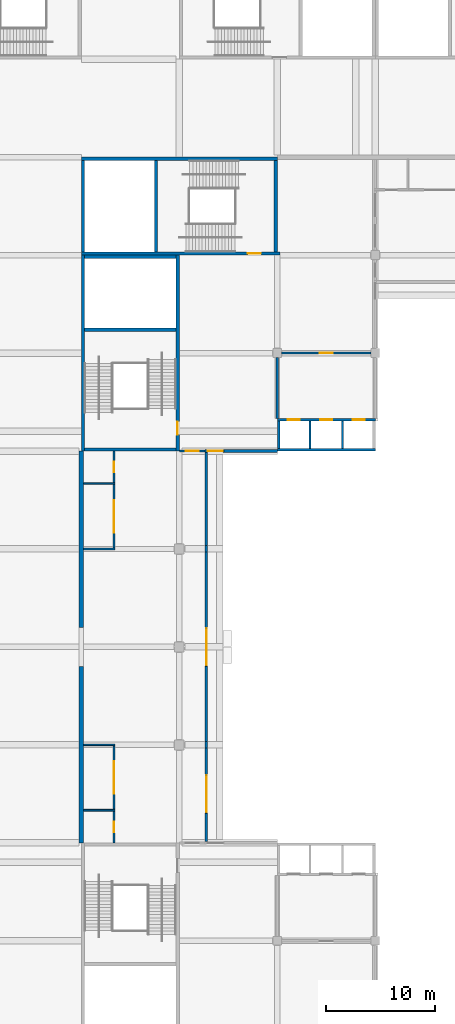
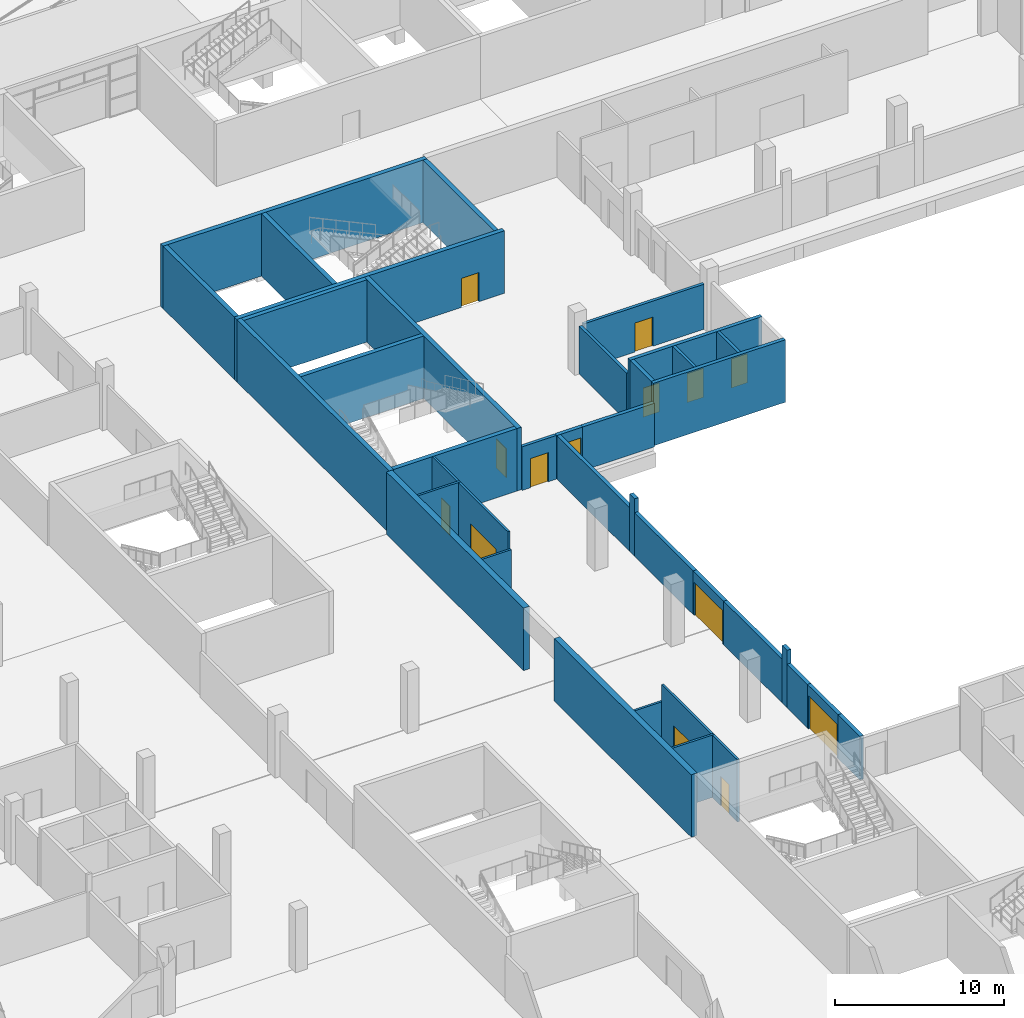
# One storey, part 97 of 168: 39 walls, 14 doors, 14 openings.
"""IFC4 building model written with IfcOpenShell, lengths in metres."""

import ifcopenshell
import ifcopenshell.guid

model = None  # the IFC model being written
_history = None  # IfcOwnerHistory: only IFC2X3 demands one
_inside = {}  # id of a spatial element -> (the spatial element, [elements in it])
_under = {}  # id of a project, library or spatial element -> (it, [spatial elements below it])
_declared = {}  # id of a project -> (the project, [libraries it declares])
_typed = {}  # id of a type object -> (the type object, [elements of that type])
_made_of = {}  # id of a material, layer set ... -> (it, [elements and type objects made of it])


def new_model(schema):
    """Start an empty IFC model of exactly this schema.

    Asked for "IFC4X3", IfcOpenShell would pick the latest addendum, in which some entities
    have other attributes; the version numbers below select the first issue.
    IFC2X3 requires an IfcOwnerHistory on every rooted entity: one is made here for all.
    """
    global model, _history
    if schema == "IFC4X3":
        model = ifcopenshell.file(schema_version=(4, 3, 0, 0))
    else:
        model = ifcopenshell.file(schema=schema)
    _inside.clear()
    _under.clear()
    _declared.clear()
    _typed.clear()
    _made_of.clear()
    _history = None
    if model.schema == "IFC2X3":
        org = make("IfcOrganization", Name="unknown")
        user = make(
            "IfcPersonAndOrganization",
            ThePerson=make("IfcPerson", FamilyName="unknown"),
            TheOrganization=org,
        )
        app = make(
            "IfcApplication",
            ApplicationDeveloper=org,
            Version="unknown",
            ApplicationFullName="unknown",
            ApplicationIdentifier="unknown",
        )
        _history = make(
            "IfcOwnerHistory",
            OwningUser=user,
            OwningApplication=app,
            ChangeAction="ADDED",
            CreationDate=0,
        )
    return model


def make(cls, **values):
    """One entity of the class cls with the attributes given. An attribute that is None is left unset."""
    return model.create_entity(
        cls, **{name: value for name, value in values.items() if value is not None}
    )


def rooted(cls, **values):
    """An entity with a GlobalId (a new one), such as an element, a storey or a relation."""
    return make(cls, GlobalId=ifcopenshell.guid.new(), OwnerHistory=_history, **values)


def si_unit(unit_type, name, prefix=None):
    """IfcSIUnit, for example si_unit("LENGTHUNIT", "METRE", prefix="MILLI")."""
    return make("IfcSIUnit", UnitType=unit_type, Prefix=prefix, Name=name)


def assignment(units):
    """IfcUnitAssignment: the units of a project."""
    return None if units is None else make("IfcUnitAssignment", Units=units)


def point(xyz):
    """IfcCartesianPoint."""
    return None if xyz is None else make("IfcCartesianPoint", Coordinates=xyz)


def direction(xyz):
    """IfcDirection."""
    return None if xyz is None else make("IfcDirection", DirectionRatios=xyz)


def frame(location, z_axis=None, x_axis=None):
    """IfcAxis2Placement3D, a coordinate frame: its origin and axes. An axis left out is left unset."""
    return make(
        "IfcAxis2Placement3D",
        Location=point(location),
        Axis=direction(z_axis),
        RefDirection=direction(x_axis),
    )


def frame_2d(location, x_axis=None):
    """IfcAxis2Placement2D, a coordinate frame in the plane: its origin and x axis."""
    return make(
        "IfcAxis2Placement2D", Location=point(location), RefDirection=direction(x_axis)
    )


def origin():
    """The frame at (0, 0, 0) with its axes left unset."""
    return frame((0.0, 0.0, 0.0))


def place(relative_to, where):
    """IfcLocalPlacement: puts the frame where relative to a parent placement (None: the world)."""
    return make(
        "IfcLocalPlacement", PlacementRelTo=relative_to, RelativePlacement=where
    )


def context(
    kind, dimensions, precision=None, world=None, true_north=None, identifier=None
):
    """IfcGeometricRepresentationContext, for example the 3D "Model" context."""
    return make(
        "IfcGeometricRepresentationContext",
        ContextIdentifier=identifier,
        ContextType=kind,
        CoordinateSpaceDimension=dimensions,
        Precision=precision,
        WorldCoordinateSystem=world,
        TrueNorth=true_north,
    )


def subcontext(parent, identifier, kind, view, scale=None):
    """IfcGeometricRepresentationSubContext, for example "Body" below "Model"."""
    return make(
        "IfcGeometricRepresentationSubContext",
        ContextIdentifier=identifier,
        ContextType=kind,
        ParentContext=parent,
        TargetScale=scale,
        TargetView=view,
    )


def project(units=None, contexts=None):
    """IfcProject with its units and contexts."""
    return rooted(
        "IfcProject",
        Name="project",
        RepresentationContexts=contexts,
        UnitsInContext=assignment(units),
    )


def spatial(cls, under=None, at=None, **own):
    """A site, building, storey or space (cls), placed at a placement, below another one or the project."""
    s = rooted(cls, ObjectPlacement=at, **own)
    if under is not None:
        _under.setdefault(under.id(), (under, []))[1].append(s)
    return s


def profile(cls, at=None, kind="AREA", **sizes):
    """A parametric profile (cls). Its sizes go by their IFC names, for example OverallWidth=200.0."""
    return make(cls, ProfileType=kind, Position=at, **sizes)


def rectangle(**sizes):
    """IfcRectangleProfileDef."""
    return profile("IfcRectangleProfileDef", **sizes)


def extrude(swept, where, along, depth):
    """IfcExtrudedAreaSolid: the profile swept, set in the frame where, extruded along a direction by depth."""
    return make(
        "IfcExtrudedAreaSolid",
        SweptArea=swept,
        Position=where,
        ExtrudedDirection=direction(along),
        Depth=depth,
    )


def shape(context_of_items, identifier, shape_type, items):
    """IfcShapeRepresentation: the items that make up one representation, for example the "Body"."""
    return make(
        "IfcShapeRepresentation",
        ContextOfItems=context_of_items,
        RepresentationIdentifier=identifier,
        RepresentationType=shape_type,
        Items=items,
    )


def material(Name=None, Category=None):
    """IfcMaterial."""
    return make("IfcMaterial", Name=Name, Category=Category)


def layer(
    of_material, thickness, ventilated=None, Name=None, Category=None, Priority=None
):
    """IfcMaterialLayer: one layer of a wall or slab, of a material (None: an air gap)."""
    return make(
        "IfcMaterialLayer",
        Material=of_material,
        LayerThickness=thickness,
        IsVentilated=ventilated,
        Name=Name,
        Category=Category,
        Priority=Priority,
    )


def layer_set(layers, Name=None):
    """IfcMaterialLayerSet."""
    return make("IfcMaterialLayerSet", MaterialLayers=layers, LayerSetName=Name)


def made_of(thing, what):
    """Note that an element or type object is made of a material, layer set ...; save() writes the relation."""
    if what is not None:
        _made_of.setdefault(what.id(), (what, []))[1].append(thing)
    return thing


def type_object(cls, material=None, **own):
    """A type object (cls), such as IfcWallType, which elements share."""
    return made_of(rooted(cls, **own), material)


def element(
    cls,
    number,
    at=None,
    inside=None,
    cuts=None,
    type_object=None,
    material=None,
    context=None,
    identifier="Body",
    shape_type=None,
    held_by="IfcProductDefinitionShape",
    body=None,
    shapes=None,
    **own,
):
    """One element of the class cls, such as IfcWall. Its Tag is "e" and its number.

    at: its placement. inside: the storey or other place that contains it. cuts: it is an
    opening in that element (IfcRelVoidsElement). A single representation is given by context,
    identifier, shape_type and body (its items); several are given by shapes. held_by: the class
    of the entity that holds the representations. save() writes the other relations.
    """
    e = rooted(cls, Tag="e%d" % number, ObjectPlacement=at, **own)
    if body is not None:
        shapes = [shape(context, identifier, shape_type, body)]
    if shapes is not None:
        e.Representation = make(held_by, Representations=shapes)
    if inside is not None:
        _inside.setdefault(inside.id(), (inside, []))[1].append(e)
    if cuts is not None:
        rooted(
            "IfcRelVoidsElement", RelatingBuildingElement=cuts, RelatedOpeningElement=e
        )
    if type_object is not None:
        _typed.setdefault(type_object.id(), (type_object, []))[1].append(e)
    return made_of(e, material)


def fill(opening, filler):
    """IfcRelFillsElement: the door or window that sits in an opening."""
    return rooted(
        "IfcRelFillsElement",
        RelatingOpeningElement=opening,
        RelatedBuildingElement=filler,
    )


def aggregate(whole, parts):
    """IfcRelAggregates: a whole, such as a stair, and the parts it consists of."""
    return rooted("IfcRelAggregates", RelatingObject=whole, RelatedObjects=parts)


def save(model, path):
    """Write the relations noted so far, then the file.

    IfcRelAggregates (storeys below a building ...), IfcRelContainedInSpatialStructure (elements
    in a storey), IfcRelDefinesByType, IfcRelAssociatesMaterial and IfcRelDeclares: one each for
    every whole, place, type object, material and project.
    """
    for whole, parts in _under.values():
        aggregate(whole, parts)
    for where, things in _inside.values():
        rooted(
            "IfcRelContainedInSpatialStructure",
            RelatedElements=things,
            RelatingStructure=where,
        )
    for kind, things in _typed.values():
        rooted("IfcRelDefinesByType", RelatedObjects=things, RelatingType=kind)
    for what, things in _made_of.values():
        rooted("IfcRelAssociatesMaterial", RelatedObjects=things, RelatingMaterial=what)
    for by, libraries in _declared.values():
        rooted("IfcRelDeclares", RelatingContext=by, RelatedDefinitions=libraries)
    model.write(path)


model = new_model("IFC4")

# Units and contexts
model_context = context("Model", 3, precision=1e-05, world=origin(), true_north=direction((0.0, 1.0)))
body_context = subcontext(model_context, "Body", "Model", "MODEL_VIEW")
ifc_project = project(units=[si_unit("LENGTHUNIT", "METRE"), si_unit("AREAUNIT", "SQUARE_METRE"), si_unit("VOLUMEUNIT", "CUBIC_METRE"), si_unit("PLANEANGLEUNIT", "RADIAN"), si_unit("MASSUNIT", "GRAM", prefix="KILO")], contexts=[model_context])

# Site, building, storey
site_placement = place(None, origin())
site = spatial("IfcSite", under=ifc_project, at=site_placement, CompositionType="ELEMENT")
building_placement = place(site_placement, origin())
building = spatial("IfcBuilding", under=site, at=building_placement, Name="Silverbay Arena", CompositionType="ELEMENT")
storey_placement = place(building_placement, frame((0.0, 0.0, 7.0)))
storey = spatial("IfcBuildingStorey", under=building, at=storey_placement, Name="L01", CompositionType="ELEMENT", Elevation=7.0)

# Wall, opening, door
ifc_material_1 = material(Name="Concrete Grade C45", Category="concrete")
ifc_layer_1 = layer(ifc_material_1, 0.25)
ifc_layer_set_1 = layer_set([ifc_layer_1], Name="Concrete Grade C45")
wall_type_1 = type_object("IfcWallType", Name="Bowl enclosure wall RC 250 EI 120", PredefinedType="SOLIDWALL", material=ifc_layer_set_1)
wall_1_placement = place(storey_placement, frame((85.10009765625, 99.0, 0.0), z_axis=(0.0, 0.0, 1.0), x_axis=(-1.0, 0.0, 0.0)))
wall_1 = element("IfcWall", 1, at=wall_1_placement, inside=storey, type_object=wall_type_1, Name="gangway West lower stand end", PredefinedType="SOLIDWALL", context=body_context, shape_type="SweptSolid", body=[
    extrude(rectangle(XDim=1.75, YDim=0.25, at=frame_2d((0.875, 0.0))), origin(), (0.0, 0.0, 1.0), 3.14990234375),
])
opening_1_placement = place(wall_1_placement, frame((0.10009765625, 0.0, 0.0)))
opening_1 = element("IfcOpeningElement", 2, at=opening_1_placement, cuts=wall_1, Name="Opening L01-156", PredefinedType="OPENING", context=body_context, shape_type="SweptSolid", body=[
    extrude(rectangle(XDim=1.39990234375, YDim=2.39990234375, at=frame_2d((0.699951171875, 1.199951171875))), frame((0.0, 0.135009765625, 0.0), z_axis=(0.0, -1.0, 0.0), x_axis=(1.0, 0.0, 0.0)), (0.0, 0.0, 1.0), 0.27001953125),
])
ifc_material_2 = material(Name="Steel", Category="steel")
door_type_1 = type_object("IfcDoorType", Name="Fire door set 1400 x 2400 FD120S gangway", OperationType="DOUBLE_DOOR_SINGLE_SWING", PredefinedType="DOOR", material=ifc_material_2)
door_1_placement = place(opening_1_placement, frame((1.39990234375, 0.0, 0.0), z_axis=(0.0, 0.0, 1.0), x_axis=(-1.0, 0.0, 0.0)))
door_1 = element("IfcDoor", 3, at=door_1_placement, inside=storey, type_object=door_type_1, Name="Fire door set L01 gangway West lower stand end", OperationType="DOUBLE_DOOR_SINGLE_SWING", OverallHeight=2.39990234375, OverallWidth=1.39990234375, PredefinedType="DOOR", context=body_context, shape_type="SweptSolid", body=[
    extrude(rectangle(XDim=1.39990234375, YDim=2.39990234375, at=frame_2d((0.699951171875, 1.199951171875))), frame((0.0, 0.02490234375, 0.0), z_axis=(0.0, -1.0, 0.0), x_axis=(1.0, 0.0, 0.0)), (0.0, 0.0, 1.0), 0.050048828125),
])
fill(opening_1, door_1)

# Wall
wall_2_placement = place(storey_placement, frame((85.10009765625, 99.0, 0.0), z_axis=(0.0, 0.0, 1.0), x_axis=(1.0, 0.0, 0.0)))
element("IfcWall", 4, at=wall_2_placement, inside=storey, type_object=wall_type_1, Name="Bowl enclosure wall, corner block NW-y", PredefinedType="SOLIDWALL", context=body_context, shape_type="SweptSolid", body=[
    extrude(rectangle(XDim=4.89990234375, YDim=0.25, at=frame_2d((2.449951171875, 0.0))), origin(), (0.0, 0.0, 1.0), 3.14990234375),
])

# Wall, opening, door
wall_3_placement = place(storey_placement, frame((83.47509765625, 79.199951171875, 0.0), z_axis=(0.0, 0.0, 1.0), x_axis=(0.0, 1.0, 0.0)))
wall_3 = element("IfcWall", 5, at=wall_3_placement, inside=storey, type_object=wall_type_1, Name="portal vomitory West 81", PredefinedType="SOLIDWALL", context=body_context, shape_type="SweptSolid", body=[
    extrude(rectangle(XDim=3.60009765625, YDim=0.25, at=frame_2d((1.800048828125, 0.0))), origin(), (0.0, 0.0, 1.0), 3.14990234375),
])
opening_2_placement = place(wall_3_placement, frame((0.10009765625, 0.0, 0.0)))
opening_2 = element("IfcOpeningElement", 6, at=opening_2_placement, cuts=wall_3, Name="Opening L01-163", PredefinedType="OPENING", context=body_context, shape_type="SweptSolid", body=[
    extrude(rectangle(XDim=3.39990234375, YDim=2.39990234375, at=frame_2d((1.699951171875, 1.199951171875))), frame((0.0, 0.135009765625, 0.0), z_axis=(0.0, -1.0, 0.0), x_axis=(1.0, 0.0, 0.0)), (0.0, 0.0, 1.0), 0.27001953125),
])
ifc_material_3 = material(Name="Steel", Category="steel")
door_type_2 = type_object("IfcDoorType", Name="Fire door set 3400 x 2400 FD120S portal", OperationType="DOUBLE_DOOR_SINGLE_SWING", PredefinedType="DOOR", material=ifc_material_3)
door_2_placement = place(opening_2_placement, origin())
door_2 = element("IfcDoor", 7, at=door_2_placement, inside=storey, type_object=door_type_2, Name="Fire door set L01 portal vomitory West 81", OperationType="DOUBLE_DOOR_SINGLE_SWING", OverallHeight=2.39990234375, OverallWidth=3.39990234375, PredefinedType="DOOR", context=body_context, shape_type="SweptSolid", body=[
    extrude(rectangle(XDim=3.39990234375, YDim=2.39990234375, at=frame_2d((1.699951171875, 1.199951171875))), frame((0.0, 0.02490234375, 0.0), z_axis=(0.0, -1.0, 0.0), x_axis=(1.0, 0.0, 0.0)), (0.0, 0.0, 1.0), 0.050048828125),
])
fill(opening_2, door_2)

wall_4_placement = place(storey_placement, frame((83.47509765625, 65.699951171875, 0.0), z_axis=(0.0, 0.0, 1.0), x_axis=(0.0, 1.0, 0.0)))
wall_4 = element("IfcWall", 8, at=wall_4_placement, inside=storey, type_object=wall_type_1, Name="portal stand West 67.5", PredefinedType="SOLIDWALL", context=body_context, shape_type="SweptSolid", body=[
    extrude(rectangle(XDim=3.60009765625, YDim=0.25, at=frame_2d((1.800048828125, 0.0))), origin(), (0.0, 0.0, 1.0), 3.14990234375),
])
opening_3_placement = place(wall_4_placement, frame((0.10009765625, 0.0, 0.0)))
opening_3 = element("IfcOpeningElement", 9, at=opening_3_placement, cuts=wall_4, Name="Opening L01-167", PredefinedType="OPENING", context=body_context, shape_type="SweptSolid", body=[
    extrude(rectangle(XDim=3.39990234375, YDim=2.39990234375, at=frame_2d((1.699951171875, 1.199951171875))), frame((0.0, 0.135009765625, 0.0), z_axis=(0.0, -1.0, 0.0), x_axis=(1.0, 0.0, 0.0)), (0.0, 0.0, 1.0), 0.27001953125),
])
door_3_placement = place(opening_3_placement, origin())
door_3 = element("IfcDoor", 10, at=door_3_placement, inside=storey, type_object=door_type_2, Name="Fire door set L01 portal stand West 67.5", OperationType="DOUBLE_DOOR_SINGLE_SWING", OverallHeight=2.39990234375, OverallWidth=3.39990234375, PredefinedType="DOOR", context=body_context, shape_type="SweptSolid", body=[
    extrude(rectangle(XDim=3.39990234375, YDim=2.39990234375, at=frame_2d((1.699951171875, 1.199951171875))), frame((0.0, 0.02490234375, 0.0), z_axis=(0.0, -1.0, 0.0), x_axis=(1.0, 0.0, 0.0)), (0.0, 0.0, 1.0), 0.050048828125),
])
fill(opening_3, door_3)

# Walls
wall_5_placement = place(storey_placement, frame((83.47509765625, 63.125, 0.0), z_axis=(0.0, 0.0, 1.0), x_axis=(0.0, 1.0, 0.0)))
element("IfcWall", 11, at=wall_5_placement, inside=storey, type_object=wall_type_1, Name="Bowl enclosure wall, West stand", PredefinedType="SOLIDWALL", context=body_context, shape_type="SweptSolid", body=[
    extrude(rectangle(XDim=2.574951171875, YDim=0.25, at=frame_2d((1.28759765625, 0.0))), origin(), (0.0, 0.0, 1.0), 3.14990234375),
])
wall_6_placement = place(storey_placement, frame((83.47509765625, 72.300048828125, 0.0), z_axis=(0.0, 0.0, 1.0), x_axis=(0.0, 1.0, 0.0)))
element("IfcWall", 12, at=wall_6_placement, inside=storey, type_object=wall_type_1, Name="Bowl enclosure wall, West stand", PredefinedType="SOLIDWALL", context=body_context, shape_type="SweptSolid", body=[
    extrude(rectangle(XDim=6.89990234375, YDim=0.25, at=frame_2d((3.449951171875, 0.0))), origin(), (0.0, 0.0, 1.0), 3.14990234375),
])
wall_7_placement = place(storey_placement, frame((83.47509765625, 90.300048828125, 0.0), z_axis=(0.0, 0.0, 1.0), x_axis=(0.0, 1.0, 0.0)))
element("IfcWall", 13, at=wall_7_placement, inside=storey, type_object=wall_type_1, Name="Bowl enclosure wall, West stand", PredefinedType="SOLIDWALL", context=body_context, shape_type="SweptSolid", body=[
    extrude(rectangle(XDim=8.574951171875, YDim=0.25, at=frame_2d((4.28759765625, 0.0))), origin(), (0.0, 0.0, 1.0), 3.14990234375),
])
wall_8_placement = place(storey_placement, frame((83.47509765625, 69.300048828125, 0.0), z_axis=(0.0, 0.0, 1.0), x_axis=(0.0, 1.0, 0.0)))
element("IfcWall", 14, at=wall_8_placement, inside=storey, type_object=wall_type_1, Name="Bowl enclosure wall, West stand", PredefinedType="SOLIDWALL", context=body_context, shape_type="SweptSolid", body=[
    extrude(rectangle(XDim=2.39990234375, YDim=0.25, at=frame_2d((1.199951171875, 0.0))), origin(), (0.0, 0.0, 1.0), 3.14990234375),
])
wall_9_placement = place(storey_placement, frame((83.47509765625, 71.699951171875, 0.0), z_axis=(0.0, 0.0, 1.0), x_axis=(0.0, 1.0, 0.0)))
element("IfcWall", 15, at=wall_9_placement, inside=storey, type_object=wall_type_1, Name="Bowl enclosure wall, West stand", PredefinedType="SOLIDWALL", context=body_context, shape_type="SweptSolid", body=[
    extrude(rectangle(XDim=0.60009765625, YDim=0.25, at=frame_2d((0.300048828125, 0.0))), origin(), (0.0, 0.0, 1.0), 4.14990234375),
])
wall_10_placement = place(storey_placement, frame((83.47509765625, 82.800048828125, 0.0), z_axis=(0.0, 0.0, 1.0), x_axis=(0.0, 1.0, 0.0)))
element("IfcWall", 16, at=wall_10_placement, inside=storey, type_object=wall_type_1, Name="Bowl enclosure wall, West stand", PredefinedType="SOLIDWALL", context=body_context, shape_type="SweptSolid", body=[
    extrude(rectangle(XDim=6.89990234375, YDim=0.25, at=frame_2d((3.449951171875, 0.0))), origin(), (0.0, 0.0, 1.0), 3.14990234375),
])
wall_11_placement = place(storey_placement, frame((83.47509765625, 89.699951171875, 0.0), z_axis=(0.0, 0.0, 1.0), x_axis=(0.0, 1.0, 0.0)))
element("IfcWall", 17, at=wall_11_placement, inside=storey, type_object=wall_type_1, Name="Bowl enclosure wall, West stand", PredefinedType="SOLIDWALL", context=body_context, shape_type="SweptSolid", body=[
    extrude(rectangle(XDim=0.60009765625, YDim=0.25, at=frame_2d((0.300048828125, 0.0))), origin(), (0.0, 0.0, 1.0), 4.14990234375),
])

# Wall, opening, door
ifc_material_4 = material(Name="Concrete Grade C45", Category="concrete")
ifc_layer_2 = layer(ifc_material_4, 0.300048828125)
ifc_layer_set_2 = layer_set([ifc_layer_2], Name="Concrete Grade C45")
wall_type_2 = type_object("IfcWallType", Name="Core wall RC 300 EI 120", PredefinedType="SHEAR", material=ifc_layer_set_2)
wall_12_placement = place(storey_placement, frame((90.25, 117.14990234375, 0.0), z_axis=(0.0, 0.0, 1.0), x_axis=(-1.0, 0.0, 0.0)))
wall_12 = element("IfcWall", 18, at=wall_12_placement, inside=storey, type_object=wall_type_2, Name="Core wall ST-NW1 L01 door side", PredefinedType="SHEAR", context=body_context, shape_type="SweptSolid", body=[
    extrude(rectangle(XDim=18.25, YDim=0.300048828125, at=frame_2d((9.125, 0.0))), origin(), (0.0, 0.0, 1.0), 4.5),
])
opening_4_placement = place(wall_12_placement, frame((1.75, 0.0, 0.0)))
opening_4 = element("IfcOpeningElement", 19, at=opening_4_placement, cuts=wall_12, Name="Opening L01-121", PredefinedType="OPENING", context=body_context, shape_type="SweptSolid", body=[
    extrude(rectangle(XDim=1.199951171875, YDim=2.10009765625, at=frame_2d((0.60009765625, 1.050048828125))), frame((0.0, 0.16015625, 0.0), z_axis=(0.0, -1.0, 0.0), x_axis=(1.0, 0.0, 0.0)), (0.0, 0.0, 1.0), 0.320068359375),
])
ifc_material_5 = material(Name="Steel fire door", Category="steel")
door_type_3 = type_object("IfcDoorType", Name="Stair door 1200 x 2100 fire door", OperationType="SINGLE_SWING_LEFT", PredefinedType="DOOR", material=ifc_material_5)
door_4_placement = place(opening_4_placement, frame((1.199951171875, 0.0, 0.0), z_axis=(0.0, 0.0, 1.0), x_axis=(-1.0, 0.0, 0.0)))
door_4 = element("IfcDoor", 20, at=door_4_placement, inside=storey, type_object=door_type_3, Name="Stair door ST-NW1 L01", OperationType="SINGLE_SWING_RIGHT", OverallHeight=2.10009765625, OverallWidth=1.199951171875, PredefinedType="DOOR", context=body_context, shape_type="SweptSolid", body=[
    extrude(rectangle(XDim=1.199951171875, YDim=2.10009765625, at=frame_2d((0.60009765625, 1.050048828125))), frame((0.0, 0.02490234375, 0.0), z_axis=(0.0, -1.0, 0.0), x_axis=(1.0, 0.0, 0.0)), (0.0, 0.0, 1.0), 0.050048828125),
])
fill(opening_4, door_4)

# Walls
wall_13_placement = place(storey_placement, frame((90.0, 125.85009765625, 0.0), z_axis=(0.0, 0.0, 1.0), x_axis=(-1.0, 0.0, 0.0)))
element("IfcWall", 21, at=wall_13_placement, inside=storey, type_object=wall_type_2, Name="Core wall ST-NW1 L01 far side", PredefinedType="SHEAR", context=body_context, shape_type="SweptSolid", body=[
    extrude(rectangle(XDim=18.0, YDim=0.300048828125, at=frame_2d((9.0, 0.0))), origin(), (0.0, 0.0, 1.0), 4.5),
])
for number, where, z_axis, x_axis, name in (
    (22, (89.85009765625, 117.300048828125, 0.0), (0.0, 0.0, 1.0), (0.0, 1.0, 0.0), "Core wall ST-NW1 L01 end 1"),
    (23, (72.14990234375, 117.300048828125, 0.0), (0.0, 0.0, 1.0), (0.0, 1.0, 0.0), "Core wall ST-NW1 L01 end 2"),
    (24, (78.85009765625, 117.300048828125, 0.0), (0.0, 0.0, 1.0), (0.0, 1.0, 0.0), "Core wall ST-NW1 L01 stair enclosure"),
):
    element("IfcWall", number, at=place(storey_placement, frame(where, z_axis=z_axis, x_axis=x_axis)), inside=storey, type_object=wall_type_2, Name=name, PredefinedType="SHEAR", context=body_context, shape_type="SweptSolid", body=[
        extrude(rectangle(XDim=8.39990234375, YDim=0.300048828125, at=frame_2d((4.199951171875, 0.0))), origin(), (0.0, 0.0, 1.0), 4.5),
    ])

# Wall, opening, door
wall_14_placement = place(storey_placement, frame((80.85009765625, 99.0, 0.0), z_axis=(0.0, 0.0, 1.0), x_axis=(0.0, 1.0, 0.0)))
wall_14 = element("IfcWall", 25, at=wall_14_placement, inside=storey, type_object=wall_type_2, Name="Core wall ST-NW2 L01 door side", PredefinedType="SHEAR", context=body_context, shape_type="SweptSolid", body=[
    extrude(rectangle(XDim=18.0, YDim=0.300048828125, at=frame_2d((9.0, 0.0))), origin(), (0.0, 0.0, 1.0), 4.5),
])
opening_5_placement = place(wall_14_placement, frame((1.5, 0.0, 0.0)))
opening_5 = element("IfcOpeningElement", 26, at=opening_5_placement, cuts=wall_14, Name="Opening L01-122", PredefinedType="OPENING", context=body_context, shape_type="SweptSolid", body=[
    extrude(rectangle(XDim=1.199951171875, YDim=2.10009765625, at=frame_2d((0.60009765625, 1.050048828125))), frame((0.0, 0.16015625, 0.0), z_axis=(0.0, -1.0, 0.0), x_axis=(1.0, 0.0, 0.0)), (0.0, 0.0, 1.0), 0.320068359375),
])
door_5_placement = place(opening_5_placement, origin())
door_5 = element("IfcDoor", 27, at=door_5_placement, inside=storey, type_object=door_type_3, Name="Stair door ST-NW2 L01", OperationType="SINGLE_SWING_LEFT", OverallHeight=2.10009765625, OverallWidth=1.199951171875, PredefinedType="DOOR", context=body_context, shape_type="SweptSolid", body=[
    extrude(rectangle(XDim=1.199951171875, YDim=2.10009765625, at=frame_2d((0.60009765625, 1.050048828125))), frame((0.0, 0.02490234375, 0.0), z_axis=(0.0, -1.0, 0.0), x_axis=(1.0, 0.0, 0.0)), (0.0, 0.0, 1.0), 0.050048828125),
])
fill(opening_5, door_5)

# Walls
wall_15_placement = place(storey_placement, frame((72.14990234375, 99.0, 0.0), z_axis=(0.0, 0.0, 1.0), x_axis=(0.0, 1.0, 0.0)))
element("IfcWall", 28, at=wall_15_placement, inside=storey, type_object=wall_type_2, Name="Core wall ST-NW2 L01 far side", PredefinedType="SHEAR", context=body_context, shape_type="SweptSolid", body=[
    extrude(rectangle(XDim=18.0, YDim=0.300048828125, at=frame_2d((9.0, 0.0))), origin(), (0.0, 0.0, 1.0), 4.5),
])
for number, where, z_axis, x_axis, name in (
    (29, (80.699951171875, 99.14990234375, 0.0), (0.0, 0.0, 1.0), (-1.0, 0.0, 0.0), "Core wall ST-NW2 L01 end 1"),
    (30, (80.699951171875, 116.85009765625, 0.0), (0.0, 0.0, 1.0), (-1.0, 0.0, 0.0), "Core wall ST-NW2 L01 end 2"),
    (31, (80.699951171875, 110.14990234375, 0.0), (0.0, 0.0, 1.0), (-1.0, 0.0, 0.0), "Core wall ST-NW2 L01 stair enclosure"),
):
    element("IfcWall", number, at=place(storey_placement, frame(where, z_axis=z_axis, x_axis=x_axis)), inside=storey, type_object=wall_type_2, Name=name, PredefinedType="SHEAR", context=body_context, shape_type="SweptSolid", body=[
        extrude(rectangle(XDim=8.39990234375, YDim=0.300048828125, at=frame_2d((4.199951171875, 0.0))), origin(), (0.0, 0.0, 1.0), 4.5),
    ])
ifc_material_6 = material(Name="Concrete Grade C45", Category="concrete")
ifc_layer_3 = layer(ifc_material_6, 0.199951171875)
ifc_layer_set_3 = layer_set([ifc_layer_3], Name="Concrete Grade C45")
wall_type_3 = type_object("IfcWallType", Name="Lift shaft divider RC 200 EI 120", PredefinedType="SHEAR", material=ifc_layer_set_3)
for number, where, z_axis, x_axis, name in (
    (32, (93.0, 99.25, 0.0), (0.0, 0.0, 1.0), (0.0, 1.0, 0.0), "Lift shaft divider LB-NW L01 1"),
    (33, (96.0, 99.25, 0.0), (0.0, 0.0, 1.0), (0.0, 1.0, 0.0), "Lift shaft divider LB-NW L01 2"),
):
    element("IfcWall", number, at=place(storey_placement, frame(where, z_axis=z_axis, x_axis=x_axis)), inside=storey, type_object=wall_type_3, Name=name, PredefinedType="SHEAR", context=body_context, shape_type="SweptSolid", body=[
        extrude(rectangle(XDim=2.5, YDim=0.199951171875, at=frame_2d((1.25, 0.0))), origin(), (0.0, 0.0, 1.0), 4.5),
    ])

# Wall, openings, doors
ifc_material_7 = material(Name="Concrete Grade C45", Category="concrete")
ifc_layer_4 = layer(ifc_material_7, 0.25)
ifc_layer_set_4 = layer_set([ifc_layer_4], Name="Concrete Grade C45")
wall_type_4 = type_object("IfcWallType", Name="Lift shaft wall RC 250 EI 120", PredefinedType="SHEAR", material=ifc_layer_set_4)
wall_16_placement = place(storey_placement, frame((90.0, 101.875, 0.0), z_axis=(0.0, 0.0, 1.0), x_axis=(1.0, 0.0, 0.0)))
wall_16 = element("IfcWall", 34, at=wall_16_placement, inside=storey, type_object=wall_type_4, Name="Lift shaft wall LB-NW L01 landing side", PredefinedType="SHEAR", context=body_context, shape_type="SweptSolid", body=[
    extrude(rectangle(XDim=9.0, YDim=0.25, at=frame_2d((4.5, 0.0))), origin(), (0.0, 0.0, 1.0), 4.5),
])
opening_6_placement = place(wall_16_placement, frame((0.949951171875, 0.0, 0.0)))
opening_6 = element("IfcOpeningElement", 35, at=opening_6_placement, cuts=wall_16, Name="Opening L01-135", PredefinedType="OPENING", context=body_context, shape_type="SweptSolid", body=[
    extrude(rectangle(XDim=1.10009765625, YDim=2.10009765625, at=frame_2d((0.550048828125, 1.050048828125))), frame((0.0, 0.135009765625, 0.0), z_axis=(0.0, -1.0, 0.0), x_axis=(1.0, 0.0, 0.0)), (0.0, 0.0, 1.0), 0.27001953125),
])
opening_7_placement = place(wall_16_placement, frame((3.949951171875, 0.0, 0.0)))
opening_7 = element("IfcOpeningElement", 36, at=opening_7_placement, cuts=wall_16, Name="Opening L01-136", PredefinedType="OPENING", context=body_context, shape_type="SweptSolid", body=[
    extrude(rectangle(XDim=1.10009765625, YDim=2.10009765625, at=frame_2d((0.550048828125, 1.050048828125))), frame((0.0, 0.135009765625, 0.0), z_axis=(0.0, -1.0, 0.0), x_axis=(1.0, 0.0, 0.0)), (0.0, 0.0, 1.0), 0.27001953125),
])
opening_8_placement = place(wall_16_placement, frame((6.949951171875, 0.0, 0.0)))
opening_8 = element("IfcOpeningElement", 37, at=opening_8_placement, cuts=wall_16, Name="Opening L01-137", PredefinedType="OPENING", context=body_context, shape_type="SweptSolid", body=[
    extrude(rectangle(XDim=1.10009765625, YDim=2.10009765625, at=frame_2d((0.550048828125, 1.050048828125))), frame((0.0, 0.135009765625, 0.0), z_axis=(0.0, -1.0, 0.0), x_axis=(1.0, 0.0, 0.0)), (0.0, 0.0, 1.0), 0.27001953125),
])
ifc_material_8 = material(Name="Stainless steel", Category="steel")
door_type_4 = type_object("IfcDoorType", Name="LD1 lift landing door 1100 x 2100", OperationType="DOUBLE_DOOR_SLIDING", PredefinedType="DOOR", material=ifc_material_8)
door_6_placement = place(opening_6_placement, origin())
door_6 = element("IfcDoor", 38, at=door_6_placement, inside=storey, type_object=door_type_4, Name="Lift landing door LF9 L01", OperationType="DOUBLE_DOOR_SLIDING", OverallHeight=2.10009765625, OverallWidth=1.10009765625, PredefinedType="DOOR", context=body_context, shape_type="SweptSolid", body=[
    extrude(rectangle(XDim=1.10009765625, YDim=2.10009765625, at=frame_2d((0.550048828125, 1.050048828125))), frame((0.0, 0.02490234375, 0.0), z_axis=(0.0, -1.0, 0.0), x_axis=(1.0, 0.0, 0.0)), (0.0, 0.0, 1.0), 0.050048828125),
])
fill(opening_6, door_6)
door_7_placement = place(opening_7_placement, origin())
door_7 = element("IfcDoor", 39, at=door_7_placement, inside=storey, type_object=door_type_4, Name="Lift landing door LF10 L01", OperationType="DOUBLE_DOOR_SLIDING", OverallHeight=2.10009765625, OverallWidth=1.10009765625, PredefinedType="DOOR", context=body_context, shape_type="SweptSolid", body=[
    extrude(rectangle(XDim=1.10009765625, YDim=2.10009765625, at=frame_2d((0.550048828125, 1.050048828125))), frame((0.0, 0.02490234375, 0.0), z_axis=(0.0, -1.0, 0.0), x_axis=(1.0, 0.0, 0.0)), (0.0, 0.0, 1.0), 0.050048828125),
])
fill(opening_7, door_7)
door_8_placement = place(opening_8_placement, origin())
door_8 = element("IfcDoor", 40, at=door_8_placement, inside=storey, type_object=door_type_4, Name="Lift landing door LF11 L01", OperationType="DOUBLE_DOOR_SLIDING", OverallHeight=2.10009765625, OverallWidth=1.10009765625, PredefinedType="DOOR", context=body_context, shape_type="SweptSolid", body=[
    extrude(rectangle(XDim=1.10009765625, YDim=2.10009765625, at=frame_2d((0.550048828125, 1.050048828125))), frame((0.0, 0.02490234375, 0.0), z_axis=(0.0, -1.0, 0.0), x_axis=(1.0, 0.0, 0.0)), (0.0, 0.0, 1.0), 0.050048828125),
])
fill(opening_8, door_8)

# Walls
wall_17_placement = place(storey_placement, frame((90.0, 99.125, 0.0), z_axis=(0.0, 0.0, 1.0), x_axis=(1.0, 0.0, 0.0)))
element("IfcWall", 41, at=wall_17_placement, inside=storey, type_object=wall_type_4, Name="Lift shaft wall LB-NW L01 back", PredefinedType="SHEAR", context=body_context, shape_type="SweptSolid", body=[
    extrude(rectangle(XDim=9.0, YDim=0.25, at=frame_2d((4.5, 0.0))), origin(), (0.0, 0.0, 1.0), 4.5),
])
wall_18_placement = place(storey_placement, frame((90.125, 99.25, 0.0), z_axis=(0.0, 0.0, 1.0), x_axis=(0.0, 1.0, 0.0)))
element("IfcWall", 42, at=wall_18_placement, inside=storey, type_object=wall_type_4, Name="Lift shaft wall LB-NW L01 end", PredefinedType="SHEAR", context=body_context, shape_type="SweptSolid", body=[
    extrude(rectangle(XDim=2.5, YDim=0.25, at=frame_2d((1.25, 0.0))), origin(), (0.0, 0.0, 1.0), 4.5),
])
ifc_material_9 = material(Name="Gypsum board partition on steel studs", Category="steel")
ifc_layer_5 = layer(ifc_material_9, 0.14990234375)
ifc_layer_set_5 = layer_set([ifc_layer_5], Name="Gypsum board partition on steel studs")
wall_type_5 = type_object("IfcWallType", Name="Partition 150 EI 60", PredefinedType="PARTITIONING", material=ifc_layer_set_5)
wall_19_placement = place(storey_placement, frame((72.199951171875, 66.0, 0.0), z_axis=(0.0, 0.0, 1.0), x_axis=(1.0, 0.0, 0.0)))
element("IfcWall", 43, at=wall_19_placement, inside=storey, type_object=wall_type_5, Name="Partition wall", PredefinedType="PARTITIONING", context=body_context, shape_type="SweptSolid", body=[
    extrude(rectangle(XDim=2.875, YDim=0.14990234375, at=frame_2d((1.4375, 0.0))), origin(), (0.0, 0.0, 1.0), 4.5),
])
for number, where, z_axis, x_axis, name in (
    (44, (72.199951171875, 72.0, 0.0), (0.0, 0.0, 1.0), (1.0, 0.0, 0.0), "Partition wall"),
    (45, (72.199951171875, 90.0, 0.0), (0.0, 0.0, 1.0), (1.0, 0.0, 0.0), "Partition wall"),
):
    element("IfcWall", number, at=place(storey_placement, frame(where, z_axis=z_axis, x_axis=x_axis)), inside=storey, type_object=wall_type_5, Name=name, PredefinedType="PARTITIONING", context=body_context, shape_type="SweptSolid", body=[
        extrude(rectangle(XDim=2.875, YDim=0.14990234375, at=frame_2d((1.4375, 0.0))), origin(), (0.0, 0.0, 1.0), 3.25),
    ])
wall_20_placement = place(storey_placement, frame((72.199951171875, 96.0, 0.0), z_axis=(0.0, 0.0, 1.0), x_axis=(1.0, 0.0, 0.0)))
element("IfcWall", 46, at=wall_20_placement, inside=storey, type_object=wall_type_5, Name="Partition wall", PredefinedType="PARTITIONING", context=body_context, shape_type="SweptSolid", body=[
    extrude(rectangle(XDim=2.875, YDim=0.14990234375, at=frame_2d((1.4375, 0.0))), origin(), (0.0, 0.0, 1.0), 4.5),
])

# Wall, opening, door
wall_21_placement = place(storey_placement, frame((75.0, 63.0, 0.0), z_axis=(0.0, 0.0, 1.0), x_axis=(0.0, 1.0, 0.0)))
wall_21 = element("IfcWall", 47, at=wall_21_placement, inside=storey, type_object=wall_type_5, Name="Partition wall", PredefinedType="PARTITIONING", context=body_context, shape_type="SweptSolid", body=[
    extrude(rectangle(XDim=2.925048828125, YDim=0.14990234375, at=frame_2d((1.46240234375, 0.0))), origin(), (0.0, 0.0, 1.0), 4.5),
])
opening_9_placement = place(wall_21_placement, frame((0.9619140625, 0.0, 0.0)))
opening_9 = element("IfcOpeningElement", 48, at=opening_9_placement, cuts=wall_21, Name="Opening L01-031", PredefinedType="OPENING", context=body_context, shape_type="SweptSolid", body=[
    extrude(rectangle(XDim=1.0, YDim=2.10009765625, at=frame_2d((0.5, 1.050048828125))), frame((0.0, 0.0849609375, 0.0), z_axis=(0.0, -1.0, 0.0), x_axis=(1.0, 0.0, 0.0)), (0.0, 0.0, 1.0), 0.169921875),
])
ifc_material_10 = material(Name="Steel faced timber", Category="steel")
door_type_5 = type_object("IfcDoorType", Name="Single leaf door 1000 x 2100 FD30S", OperationType="SINGLE_SWING_LEFT", PredefinedType="DOOR", material=ifc_material_10)
door_9_placement = place(opening_9_placement, origin())
door_9 = element("IfcDoor", 49, at=door_9_placement, inside=storey, type_object=door_type_5, Name="Door L01-031", OperationType="SINGLE_SWING_LEFT", OverallHeight=2.10009765625, OverallWidth=1.0, PredefinedType="DOOR", context=body_context, shape_type="SweptSolid", body=[
    extrude(rectangle(XDim=1.0, YDim=2.10009765625, at=frame_2d((0.5, 1.050048828125))), frame((0.0, 0.02490234375, 0.0), z_axis=(0.0, -1.0, 0.0), x_axis=(1.0, 0.0, 0.0)), (0.0, 0.0, 1.0), 0.050048828125),
])
fill(opening_9, door_9)

wall_22_placement = place(storey_placement, frame((75.0, 66.074951171875, 0.0), z_axis=(0.0, 0.0, 1.0), x_axis=(0.0, 1.0, 0.0)))
wall_22 = element("IfcWall", 50, at=wall_22_placement, inside=storey, type_object=wall_type_5, Name="Partition wall", PredefinedType="PARTITIONING", context=body_context, shape_type="SweptSolid", body=[
    extrude(rectangle(XDim=5.85009765625, YDim=0.14990234375, at=frame_2d((2.925048828125, 0.0))), origin(), (0.0, 0.0, 1.0), 4.5),
])
opening_10_placement = place(wall_22_placement, frame((1.425048828125, 0.0, 0.0)))
opening_10 = element("IfcOpeningElement", 51, at=opening_10_placement, cuts=wall_22, Name="Opening L01-032", PredefinedType="OPENING", context=body_context, shape_type="SweptSolid", body=[
    extrude(rectangle(XDim=3.0, YDim=2.39990234375, at=frame_2d((1.5, 1.199951171875))), frame((0.0, 0.0849609375, 0.0), z_axis=(0.0, -1.0, 0.0), x_axis=(1.0, 0.0, 0.0)), (0.0, 0.0, 1.0), 0.169921875),
])
ifc_material_11 = material(Name="Steel", Category="steel")
door_type_6 = type_object("IfcDoorType", Name="Roller shutter 3000 x 2400 FD30S", OperationType="ROLLINGUP", PredefinedType="DOOR", material=ifc_material_11)
door_10_placement = place(opening_10_placement, origin())
door_10 = element("IfcDoor", 52, at=door_10_placement, inside=storey, type_object=door_type_6, Name="Door L01-032", OperationType="ROLLINGUP", OverallHeight=2.39990234375, OverallWidth=3.0, PredefinedType="DOOR", context=body_context, shape_type="SweptSolid", body=[
    extrude(rectangle(XDim=3.0, YDim=2.39990234375, at=frame_2d((1.5, 1.199951171875))), frame((0.0, 0.02490234375, 0.0), z_axis=(0.0, -1.0, 0.0), x_axis=(1.0, 0.0, 0.0)), (0.0, 0.0, 1.0), 0.050048828125),
])
fill(opening_10, door_10)

wall_23_placement = place(storey_placement, frame((75.0, 90.074951171875, 0.0), z_axis=(0.0, 0.0, 1.0), x_axis=(0.0, 1.0, 0.0)))
wall_23 = element("IfcWall", 53, at=wall_23_placement, inside=storey, type_object=wall_type_5, Name="Partition wall", PredefinedType="PARTITIONING", context=body_context, shape_type="SweptSolid", body=[
    extrude(rectangle(XDim=5.85009765625, YDim=0.14990234375, at=frame_2d((2.925048828125, 0.0))), origin(), (0.0, 0.0, 1.0), 4.5),
])
opening_11_placement = place(wall_23_placement, frame((1.425048828125, 0.0, 0.0)))
opening_11 = element("IfcOpeningElement", 54, at=opening_11_placement, cuts=wall_23, Name="Opening L01-033", PredefinedType="OPENING", context=body_context, shape_type="SweptSolid", body=[
    extrude(rectangle(XDim=3.0, YDim=2.39990234375, at=frame_2d((1.5, 1.199951171875))), frame((0.0, 0.0849609375, 0.0), z_axis=(0.0, -1.0, 0.0), x_axis=(1.0, 0.0, 0.0)), (0.0, 0.0, 1.0), 0.169921875),
])
door_11_placement = place(opening_11_placement, origin())
door_11 = element("IfcDoor", 55, at=door_11_placement, inside=storey, type_object=door_type_6, Name="Door L01-033", OperationType="ROLLINGUP", OverallHeight=2.39990234375, OverallWidth=3.0, PredefinedType="DOOR", context=body_context, shape_type="SweptSolid", body=[
    extrude(rectangle(XDim=3.0, YDim=2.39990234375, at=frame_2d((1.5, 1.199951171875))), frame((0.0, 0.02490234375, 0.0), z_axis=(0.0, -1.0, 0.0), x_axis=(1.0, 0.0, 0.0)), (0.0, 0.0, 1.0), 0.050048828125),
])
fill(opening_11, door_11)

wall_24_placement = place(storey_placement, frame((75.0, 96.074951171875, 0.0), z_axis=(0.0, 0.0, 1.0), x_axis=(0.0, 1.0, 0.0)))
wall_24 = element("IfcWall", 56, at=wall_24_placement, inside=storey, type_object=wall_type_5, Name="Partition wall", PredefinedType="PARTITIONING", context=body_context, shape_type="SweptSolid", body=[
    extrude(rectangle(XDim=2.925048828125, YDim=0.14990234375, at=frame_2d((1.46240234375, 0.0))), origin(), (0.0, 0.0, 1.0), 4.5),
])
opening_12_placement = place(wall_24_placement, frame((0.9619140625, 0.0, 0.0)))
opening_12 = element("IfcOpeningElement", 57, at=opening_12_placement, cuts=wall_24, Name="Opening L01-034", PredefinedType="OPENING", context=body_context, shape_type="SweptSolid", body=[
    extrude(rectangle(XDim=1.0, YDim=2.10009765625, at=frame_2d((0.5, 1.050048828125))), frame((0.0, 0.0849609375, 0.0), z_axis=(0.0, -1.0, 0.0), x_axis=(1.0, 0.0, 0.0)), (0.0, 0.0, 1.0), 0.169921875),
])
door_12_placement = place(opening_12_placement, origin())
door_12 = element("IfcDoor", 58, at=door_12_placement, inside=storey, type_object=door_type_5, Name="Door L01-034", OperationType="SINGLE_SWING_RIGHT", OverallHeight=2.10009765625, OverallWidth=1.0, PredefinedType="DOOR", context=body_context, shape_type="SweptSolid", body=[
    extrude(rectangle(XDim=1.0, YDim=2.10009765625, at=frame_2d((0.5, 1.050048828125))), frame((0.0, 0.02490234375, 0.0), z_axis=(0.0, -1.0, 0.0), x_axis=(1.0, 0.0, 0.0)), (0.0, 0.0, 1.0), 0.050048828125),
])
fill(opening_12, door_12)

ifc_material_12 = material(Name="Masonry blockwork partition", Category="masonry")
ifc_layer_6 = layer(ifc_material_12, 0.199951171875)
ifc_layer_set_6 = layer_set([ifc_layer_6], Name="Masonry blockwork partition")
wall_type_6 = type_object("IfcWallType", Name="Partition 200 EI 120", PredefinedType="PARTITIONING", material=ifc_layer_set_6)
wall_25_placement = place(storey_placement, frame((81.0, 99.0, 0.0), z_axis=(0.0, 0.0, 1.0), x_axis=(1.0, 0.0, 0.0)))
wall_25 = element("IfcWall", 59, at=wall_25_placement, inside=storey, type_object=wall_type_6, Name="Partition wall", PredefinedType="PARTITIONING", context=body_context, shape_type="SweptSolid", body=[
    extrude(rectangle(XDim=2.35009765625, YDim=0.199951171875, at=frame_2d((1.175048828125, 0.0))), origin(), (0.0, 0.0, 1.0), 3.14990234375),
])
opening_13_placement = place(wall_25_placement, frame((0.574951171875, 0.0, 0.0)))
opening_13 = element("IfcOpeningElement", 60, at=opening_13_placement, cuts=wall_25, Name="Opening L01-078", PredefinedType="OPENING", context=body_context, shape_type="SweptSolid", body=[
    extrude(rectangle(XDim=1.199951171875, YDim=2.10009765625, at=frame_2d((0.60009765625, 1.050048828125))), frame((0.0, 0.10986328125, 0.0), z_axis=(0.0, -1.0, 0.0), x_axis=(1.0, 0.0, 0.0)), (0.0, 0.0, 1.0), 0.219970703125),
])
ifc_material_13 = material(Name="Steel faced timber", Category="steel")
door_type_7 = type_object("IfcDoorType", Name="Single leaf door 1200 x 2100 FD60", OperationType="SINGLE_SWING_LEFT", PredefinedType="DOOR", material=ifc_material_13)
door_13_placement = place(opening_13_placement, origin())
door_13 = element("IfcDoor", 61, at=door_13_placement, inside=storey, type_object=door_type_7, Name="Door L01-078", OperationType="SINGLE_SWING_RIGHT", OverallHeight=2.10009765625, OverallWidth=1.199951171875, PredefinedType="DOOR", context=body_context, shape_type="SweptSolid", body=[
    extrude(rectangle(XDim=1.199951171875, YDim=2.10009765625, at=frame_2d((0.60009765625, 1.050048828125))), frame((0.0, 0.02490234375, 0.0), z_axis=(0.0, -1.0, 0.0), x_axis=(1.0, 0.0, 0.0)), (0.0, 0.0, 1.0), 0.050048828125),
])
fill(opening_13, door_13)

wall_26_placement = place(storey_placement, frame((90.39990234375, 108.0, 0.0), z_axis=(0.0, 0.0, 1.0), x_axis=(1.0, 0.0, 0.0)))
wall_26 = element("IfcWall", 62, at=wall_26_placement, inside=storey, type_object=wall_type_6, Name="Partition wall", PredefinedType="PARTITIONING", context=body_context, shape_type="SweptSolid", body=[
    extrude(rectangle(XDim=8.2001953125, YDim=0.199951171875, at=frame_2d((4.10009765625, 0.0))), origin(), (0.0, 0.0, 1.0), 3.25),
])
opening_14_placement = place(wall_26_placement, frame((3.5, 0.0, 0.0)))
opening_14 = element("IfcOpeningElement", 63, at=opening_14_placement, cuts=wall_26, Name="Opening L01-015", PredefinedType="OPENING", context=body_context, shape_type="SweptSolid", body=[
    extrude(rectangle(XDim=1.199951171875, YDim=2.10009765625, at=frame_2d((0.60009765625, 1.050048828125))), frame((0.0, 0.10986328125, 0.0), z_axis=(0.0, -1.0, 0.0), x_axis=(1.0, 0.0, 0.0)), (0.0, 0.0, 1.0), 0.219970703125),
])
door_14_placement = place(opening_14_placement, origin())
door_14 = element("IfcDoor", 64, at=door_14_placement, inside=storey, type_object=door_type_7, Name="Door L01-015", OperationType="SINGLE_SWING_LEFT", OverallHeight=2.10009765625, OverallWidth=1.199951171875, PredefinedType="DOOR", context=body_context, shape_type="SweptSolid", body=[
    extrude(rectangle(XDim=1.199951171875, YDim=2.10009765625, at=frame_2d((0.60009765625, 1.050048828125))), frame((0.0, 0.02490234375, 0.0), z_axis=(0.0, -1.0, 0.0), x_axis=(1.0, 0.0, 0.0)), (0.0, 0.0, 1.0), 0.050048828125),
])
fill(opening_14, door_14)

# Walls
wall_27_placement = place(storey_placement, frame((90.0, 102.0, 0.0), z_axis=(0.0, 0.0, 1.0), x_axis=(0.0, 1.0, 0.0)))
element("IfcWall", 65, at=wall_27_placement, inside=storey, type_object=wall_type_6, Name="Partition wall", PredefinedType="PARTITIONING", context=body_context, shape_type="SweptSolid", body=[
    extrude(rectangle(XDim=5.60009765625, YDim=0.199951171875, at=frame_2d((2.800048828125, 0.0))), origin(), (0.0, 0.0, 1.0), 3.449951171875),
])
ifc_material_14 = material(Name="Concrete Grade C45", Category="concrete")
ifc_layer_7 = layer(ifc_material_14, 0.39990234375)
ifc_layer_set_7 = layer_set([ifc_layer_7], Name="Concrete Grade C45")
wall_type_7 = type_object("IfcWallType", Name="RC back wall 400 EI 120", PredefinedType="SOLIDWALL", material=ifc_layer_set_7)
for number, where, z_axis, x_axis, name in (
    (66, (72.0, 99.0, 0.0), (0.0, 0.0, 1.0), (0.0, -1.0, 0.0), "Bowl back wall L01 09"),
    (67, (72.0, 79.199951171875, 0.0), (0.0, 0.0, 1.0), (0.0, -1.0, 0.0), "Bowl back wall L01 10"),
):
    element("IfcWall", number, at=place(storey_placement, frame(where, z_axis=z_axis, x_axis=x_axis)), inside=storey, type_object=wall_type_7, Name=name, PredefinedType="SOLIDWALL", context=body_context, shape_type="SweptSolid", body=[
        extrude(rectangle(XDim=16.199951171875, YDim=0.39990234375, at=frame_2d((8.10009765625, 0.0))), origin(), (0.0, 0.0, 1.0), 4.5),
    ])

save(model, "model.ifc")
